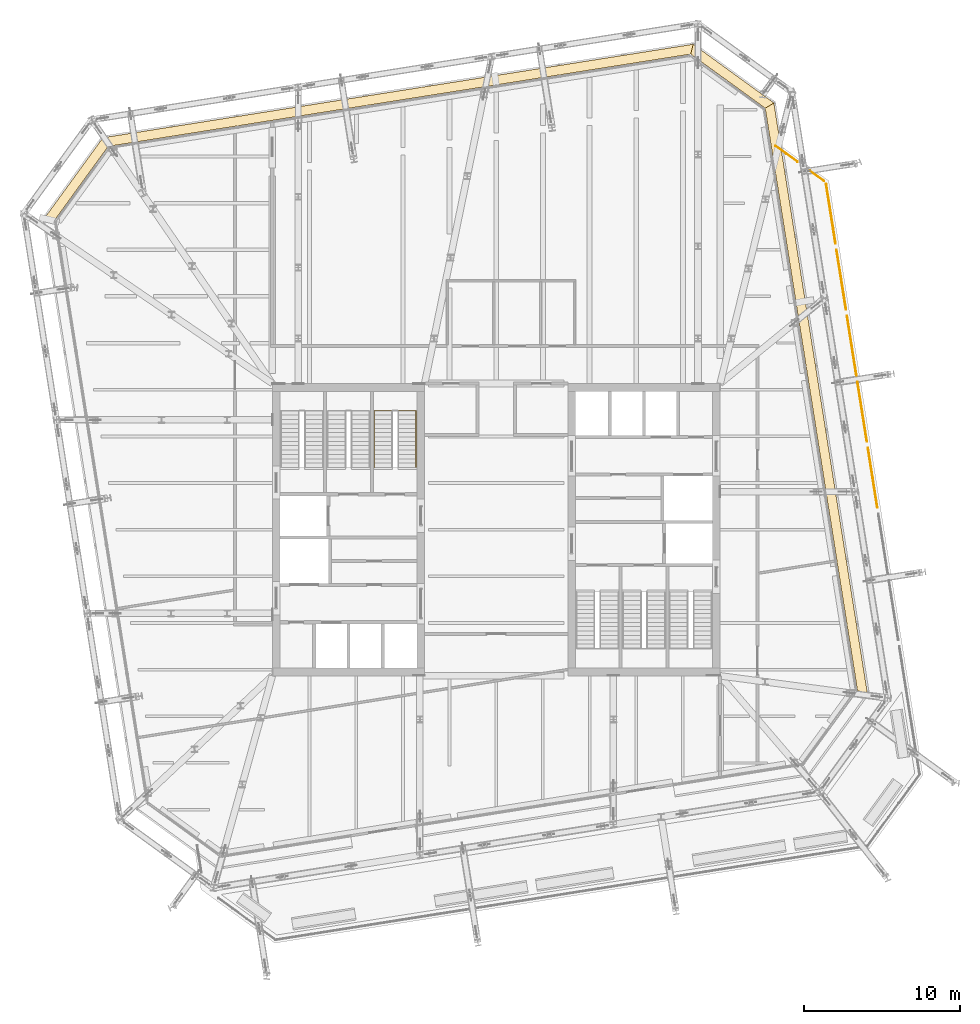
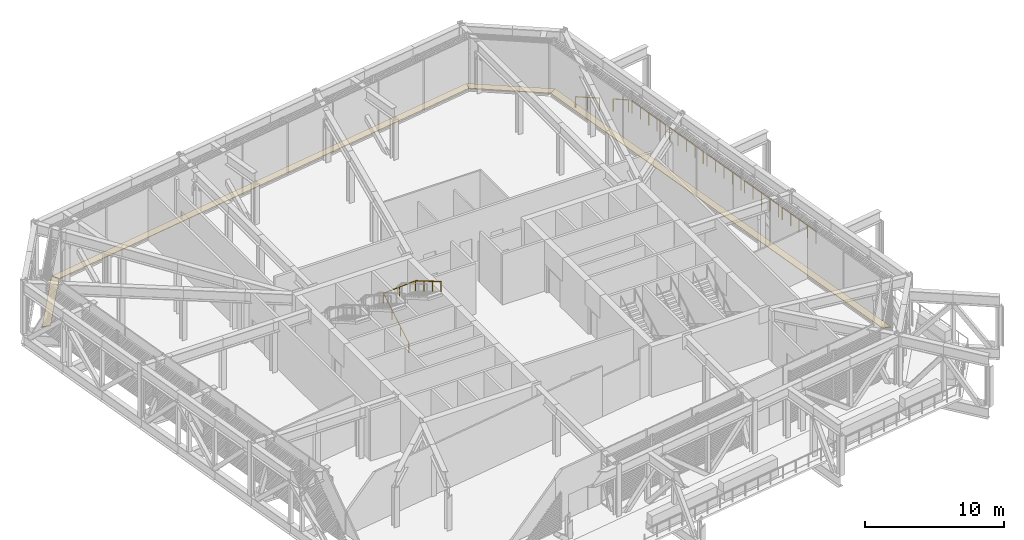
# One storey, part 34 of 35: 8 railings, 4 coverings.
"""IFC4 building model written with IfcOpenShell, lengths in metres."""

from ifc_helpers import new_model, si_unit, direction, frame, origin, origin_2d, place, context, subcontext, project, spatial, polyline, circle, outline, extrude, material, layer, layer_set, type_object, element, save


model = new_model("IFC4")

# Units and contexts
model_context = context("Model", 3, precision=1e-05, world=origin(), true_north=direction((0.0, 1.0)))
body_context = subcontext(model_context, "Body", "Model", "MODEL_VIEW")
ifc_project = project(units=[si_unit("LENGTHUNIT", "METRE"), si_unit("AREAUNIT", "SQUARE_METRE"), si_unit("VOLUMEUNIT", "CUBIC_METRE"), si_unit("PLANEANGLEUNIT", "RADIAN"), si_unit("MASSUNIT", "GRAM", prefix="KILO")], contexts=[model_context])

# Site, building, storey
site_placement = place(None, origin())
site = spatial("IfcSite", under=ifc_project, at=site_placement, CompositionType="ELEMENT")
building_placement = place(site_placement, origin())
building = spatial("IfcBuilding", under=site, at=building_placement, Name="Millrace Tower", CompositionType="ELEMENT")
storey_placement = place(building_placement, frame((0.0, 0.0, 200.10009765625)))
storey = spatial("IfcBuildingStorey", under=building, at=storey_placement, Name="L45", CompositionType="ELEMENT", Elevation=200.10009765625)

# Coverings
ifc_material_1 = material(Name="Steel ASTM A36", Category="steel")
ifc_layer = layer(ifc_material_1, 0.050048828125)
ifc_layer_set = layer_set([ifc_layer], Name="Steel ASTM A36")
covering_type = type_object("IfcCoveringType", Name="CAVITY CATWALK steel grating", PredefinedType="FLOORING", material=ifc_layer_set)
placement = place(storey_placement, frame((0.0, 0.0, 0.099853515625)))
element("IfcCovering", 1, at=placement, inside=storey, type_object=covering_type, Name="Cavity catwalk grating D-F04 L45 1", PredefinedType="FLOORING", context=body_context, shape_type="SweptSolid", body=[
    extrude(outline(polyline([(23.86279296875, -10.5087890625), (17.852294921875, 27.439453125), (17.298583984375, 27.10009765625), (23.231201171875, -10.357177734375), (23.86279296875, -10.5087890625)])), origin(), (0.0, 0.0, 1.0), 0.050048828125),
])
element("IfcCovering", 2, at=placement, inside=storey, type_object=covering_type, Name="Cavity catwalk grating D-F05 L45 1", PredefinedType="FLOORING", context=body_context, shape_type="SweptSolid", body=[
    extrude(outline(polyline([(17.852294921875, 27.439453125), (12.658935546875, 31.212890625), (12.50732421875, 30.581298828125), (17.298583984375, 27.10009765625), (17.852294921875, 27.439453125)])), origin(), (0.0, 0.0, 1.0), 0.050048828125),
])
element("IfcCovering", 3, at=placement, inside=storey, type_object=covering_type, Name="Cavity catwalk grating D-F06 L45 1", PredefinedType="FLOORING", context=body_context, shape_type="SweptSolid", body=[
    extrude(outline(polyline([(12.658935546875, 31.212890625), (-25.28955078125, 25.202392578125), (-24.9501953125, 24.648681640625), (12.50732421875, 30.581298828125), (12.658935546875, 31.212890625)])), origin(), (0.0, 0.0, 1.0), 0.050048828125),
])
element("IfcCovering", 4, at=placement, inside=storey, type_object=covering_type, Name="Cavity catwalk grating D-F07 L45 1", PredefinedType="FLOORING", context=body_context, shape_type="SweptSolid", body=[
    extrude(outline(polyline([(-25.28955078125, 25.202392578125), (-29.062744140625, 20.0087890625), (-28.431396484375, 19.857177734375), (-24.9501953125, 24.648681640625), (-25.28955078125, 25.202392578125)])), origin(), (0.0, 0.0, 1.0), 0.050048828125),
])

# Railings
ifc_material_2 = material(Name="Stainless steel ASTM A240 type 316", Category="steel")
railing_type_1 = type_object("IfcRailingType", Name="Stair handrail 900", PredefinedType="HANDRAIL", material=ifc_material_2)
railing_1_placement = place(storey_placement, frame((-7.840087890625, 4.0, 0.164306640625)))
element("IfcRailing", 5, at=railing_1_placement, inside=storey, type_object=railing_type_1, Name="Stair handrail 3 W L45", PredefinedType="HANDRAIL", context=body_context, shape_type="SweptSolid", body=[
    extrude(circle(Radius=0.02392578125, at=origin_2d()), frame((0.0, 0.0, 0.8759765625), z_axis=(0.0, 0.862515142463, 0.50603125301), x_axis=(-1.0, 0.0, 0.0)), (0.0, 0.0, 1.0), 4.219970703125),
    extrude(circle(Radius=0.02392578125, at=origin_2d()), frame((0.0, 3.639892578125, 3.01123046875), z_axis=(0.998126163697, 0.0, 0.061189552575), x_axis=(0.0, 1.0, 0.0)), (0.0, 0.0, 1.0), 2.685302734375),
    extrude(circle(Radius=0.02392578125, at=origin_2d()), frame((2.68017578125, 3.639892578125, 3.17578125), z_axis=(0.0, -0.862489892076, 0.506074289079), x_axis=(1.0, 0.0, 0.0)), (0.0, 0.0, 1.0), 4.22021484375),
    extrude(circle(Radius=0.02099609375, at=origin_2d()), origin(), (0.0, 0.0, 1.0), 0.851806640625),
    extrude(circle(Radius=0.02099609375, at=origin_2d()), frame((0.0, 1.21337890625, 0.7119140625)), (0.0, 0.0, 1.0), 0.851806640625),
    extrude(circle(Radius=0.02099609375, at=origin_2d()), frame((0.0, 2.426513671875, 1.423583984375)), (0.0, 0.0, 1.0), 0.851806640625),
    extrude(circle(Radius=0.02099609375, at=origin_2d()), frame((0.0, 3.639892578125, 2.135498046875)), (0.0, 0.0, 1.0), 0.851806640625),
    extrude(circle(Radius=0.02099609375, at=origin_2d()), frame((1.340087890625, 3.639892578125, 2.2177734375)), (0.0, 0.0, 1.0), 0.851806640625),
    extrude(circle(Radius=0.02099609375, at=origin_2d()), frame((2.68017578125, 3.639892578125, 2.2998046875)), (0.0, 0.0, 1.0), 0.851806640625),
    extrude(circle(Radius=0.02099609375, at=origin_2d()), frame((2.68017578125, 2.426513671875, 3.01171875)), (0.0, 0.0, 1.0), 0.851806640625),
    extrude(circle(Radius=0.02099609375, at=origin_2d()), frame((2.68017578125, 1.21337890625, 3.7236328125)), (0.0, 0.0, 1.0), 0.851806640625),
    extrude(circle(Radius=0.02099609375, at=origin_2d()), frame((2.68017578125, 0.0, 4.435546875)), (0.0, 0.0, 1.0), 0.851806640625),
])
ifc_material_3 = material(Name="Stainless steel ASTM A240 type 316", Category="steel")
railing_type_2 = type_object("IfcRailingType", Name="Terrace guard 1100", PredefinedType="GUARDRAIL", material=ifc_material_3)
railing_2_placement = place(storey_placement, frame((17.960693359375, 24.677734375, 0.0)))
element("IfcRailing", 6, at=railing_2_placement, inside=storey, type_object=railing_type_2, Name="Terrace guard L44 edge 1.2", PredefinedType="GUARDRAIL", context=body_context, shape_type="SweptSolid", body=[
    extrude(circle(Radius=0.02392578125, at=origin_2d()), frame((0.0, 0.0, 1.076171875), z_axis=(0.809004076624, -0.58780303164, 0.0), x_axis=(0.58780303164, 0.809004076624, 0.0)), (0.0, 0.0, 1.0), 1.73291015625),
    extrude(circle(Radius=0.02099609375, at=origin_2d()), origin(), (0.0, 0.0, 1.0), 1.052001953125),
    extrude(circle(Radius=0.02099609375, at=origin_2d()), frame((0.700927734375, -0.50927734375, 0.0)), (0.0, 0.0, 1.0), 1.052001953125),
    extrude(circle(Radius=0.02099609375, at=origin_2d()), frame((1.40185546875, -1.0185546875, 0.0)), (0.0, 0.0, 1.0), 1.052001953125),
])
railing_3_placement = place(storey_placement, frame((20.1630859375, 23.077392578125, 0.0)))
element("IfcRailing", 7, at=railing_3_placement, inside=storey, type_object=railing_type_2, Name="Terrace guard L44 edge 1.3", PredefinedType="GUARDRAIL", context=body_context, shape_type="SweptSolid", body=[
    extrude(circle(Radius=0.02392578125, at=origin_2d()), frame((0.0, 0.0, 1.076171875), z_axis=(0.809105319823, -0.587663663531, 0.0), x_axis=(0.587663663531, 0.809105319823, 0.0)), (0.0, 0.0, 1.0), 1.11474609375),
    extrude(circle(Radius=0.02099609375, at=origin_2d()), origin(), (0.0, 0.0, 1.0), 1.052001953125),
    extrude(circle(Radius=0.02099609375, at=origin_2d()), frame((0.90185546875, -0.655029296875, 0.0)), (0.0, 0.0, 1.0), 1.052001953125),
])
railing_4_placement = place(storey_placement, frame((21.21533203125, 22.2216796875, 0.0)))
element("IfcRailing", 8, at=railing_4_placement, inside=storey, type_object=railing_type_2, Name="Terrace guard L44 edge 1.4", PredefinedType="GUARDRAIL", context=body_context, shape_type="SweptSolid", body=[
    extrude(circle(Radius=0.02392578125, at=origin_2d()), frame((0.0, 0.0, 1.076171875), z_axis=(0.156442750886, -0.98768702821, 0.0), x_axis=(0.98768702821, 0.156442750886, 0.0)), (0.0, 0.0, 1.0), 3.864013671875),
    extrude(circle(Radius=0.02099609375, at=origin_2d()), origin(), (0.0, 0.0, 1.0), 1.052001953125),
    extrude(circle(Radius=0.02099609375, at=origin_2d()), frame((0.151123046875, -0.9541015625, 0.0)), (0.0, 0.0, 1.0), 1.052001953125),
    extrude(circle(Radius=0.02099609375, at=origin_2d()), frame((0.30224609375, -1.908203125, 0.0)), (0.0, 0.0, 1.0), 1.052001953125),
    extrude(circle(Radius=0.02099609375, at=origin_2d()), frame((0.453369140625, -2.8623046875, 0.0)), (0.0, 0.0, 1.0), 1.052001953125),
    extrude(circle(Radius=0.02099609375, at=origin_2d()), frame((0.6044921875, -3.81640625, 0.0)), (0.0, 0.0, 1.0), 1.052001953125),
])
for number, where, name in (
    (9, (21.887451171875, 17.978515625, 0.0), "Terrace guard L44 edge 1.5"),
    (10, (22.56005859375, 13.7314453125, 0.0), "Terrace guard L44 edge 1.6"),
):
    element("IfcRailing", number, at=place(storey_placement, frame(where)), inside=storey, type_object=railing_type_2, Name=name, PredefinedType="GUARDRAIL", context=body_context, shape_type="SweptSolid", body=[
        extrude(circle(Radius=0.02392578125, at=origin_2d()), frame((0.0, 0.0, 1.076171875), z_axis=(0.156471426521, -0.987682485763, 0.0), x_axis=(0.987682485763, 0.156471426521, 0.0)), (0.0, 0.0, 1.0), 3.867919921875),
        extrude(circle(Radius=0.02099609375, at=origin_2d()), origin(), (0.0, 0.0, 1.0), 1.052001953125),
        extrude(circle(Radius=0.02099609375, at=origin_2d()), frame((0.1513671875, -0.955078125, 0.0)), (0.0, 0.0, 1.0), 1.052001953125),
        extrude(circle(Radius=0.02099609375, at=origin_2d()), frame((0.302734375, -1.91015625, 0.0)), (0.0, 0.0, 1.0), 1.052001953125),
        extrude(circle(Radius=0.02099609375, at=origin_2d()), frame((0.453857421875, -2.865234375, 0.0)), (0.0, 0.0, 1.0), 1.052001953125),
        extrude(circle(Radius=0.02099609375, at=origin_2d()), frame((0.605224609375, -3.8203125, 0.0)), (0.0, 0.0, 1.0), 1.052001953125),
    ])
for number, where, name in (
    (11, (23.23291015625, 9.484375, 0.0), "Terrace guard L44 edge 1.7"),
    (12, (23.905517578125, 5.2373046875, 0.0), "Terrace guard L44 edge 1.8"),
):
    element("IfcRailing", number, at=place(storey_placement, frame(where)), inside=storey, type_object=railing_type_2, Name=name, PredefinedType="GUARDRAIL", context=body_context, shape_type="SweptSolid", body=[
        extrude(circle(Radius=0.02392578125, at=origin_2d()), frame((0.0, 0.0, 1.076171875), z_axis=(0.156409852197, -0.987692238572, 0.0), x_axis=(0.987692238572, 0.156409852197, 0.0)), (0.0, 0.0, 1.0), 3.867919921875),
        extrude(circle(Radius=0.02099609375, at=origin_2d()), origin(), (0.0, 0.0, 1.0), 1.052001953125),
        extrude(circle(Radius=0.02099609375, at=origin_2d()), frame((0.1513671875, -0.955078125, 0.0)), (0.0, 0.0, 1.0), 1.052001953125),
        extrude(circle(Radius=0.02099609375, at=origin_2d()), frame((0.302490234375, -1.91015625, 0.0)), (0.0, 0.0, 1.0), 1.052001953125),
        extrude(circle(Radius=0.02099609375, at=origin_2d()), frame((0.45361328125, -2.865234375, 0.0)), (0.0, 0.0, 1.0), 1.052001953125),
        extrude(circle(Radius=0.02099609375, at=origin_2d()), frame((0.60498046875, -3.8203125, 0.0)), (0.0, 0.0, 1.0), 1.052001953125),
    ])

save(model, "model.ifc")
